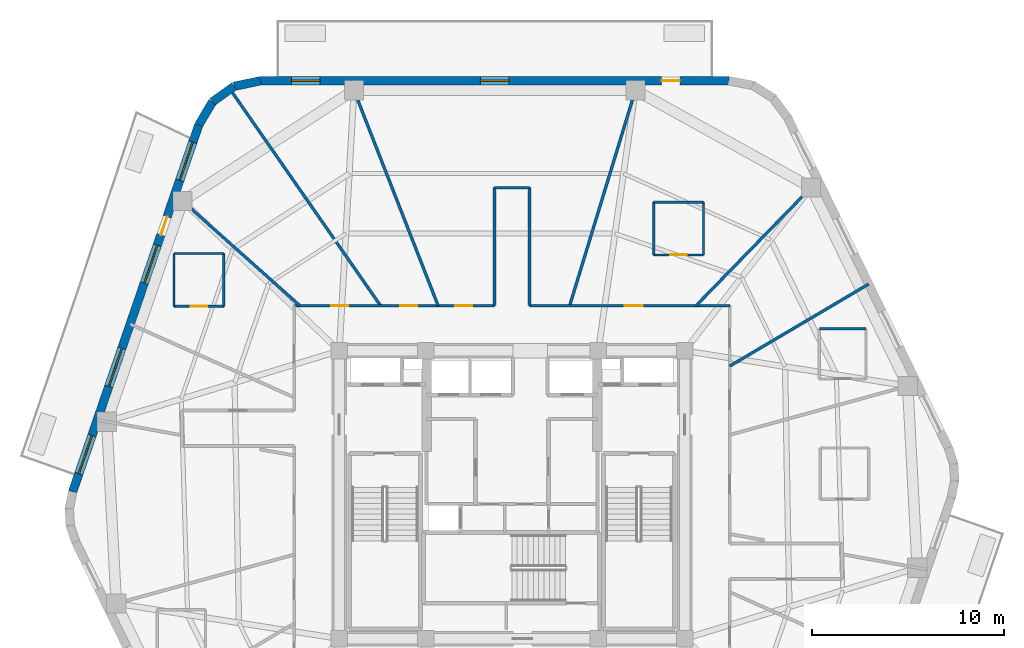
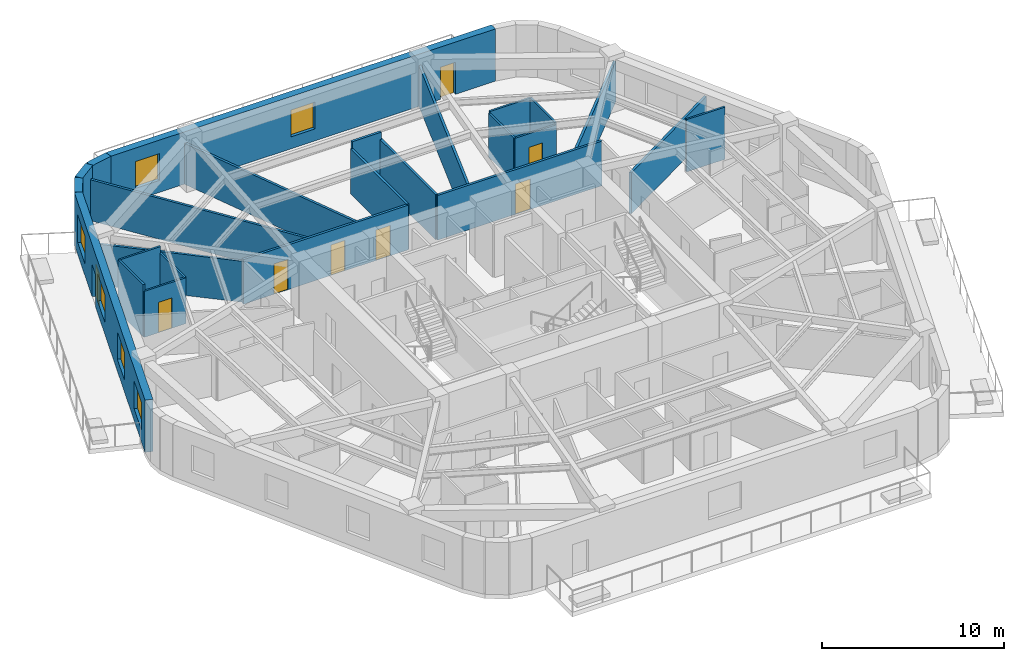
# One storey, part 6 of 9: 25 walls, 8 doors, 6 windows, 14 openings.
"""IFC4 building model written with IfcOpenShell, lengths in metres."""

from ifc_helpers import new_model, si_unit, direction, frame, frame_2d, origin, place, context, subcontext, project, spatial, rectangle, extrude, material, layer, layer_set, type_object, element, fill, save


model = new_model("IFC4")

# Units and contexts
model_context = context("Model", 3, precision=1e-05, world=origin(), true_north=direction((0.0, 1.0)))
body_context = subcontext(model_context, "Body", "Model", "MODEL_VIEW")
ifc_project = project(units=[si_unit("LENGTHUNIT", "METRE"), si_unit("AREAUNIT", "SQUARE_METRE"), si_unit("VOLUMEUNIT", "CUBIC_METRE"), si_unit("PLANEANGLEUNIT", "RADIAN"), si_unit("MASSUNIT", "GRAM", prefix="KILO")], contexts=[model_context])

# Site, building, storey
site_placement = place(None, origin())
site = spatial("IfcSite", under=ifc_project, at=site_placement, CompositionType="ELEMENT")
building_placement = place(site_placement, origin())
building = spatial("IfcBuilding", under=site, at=building_placement, Name="Kilnhurst Terrace Hotel", CompositionType="ELEMENT")
storey_placement = place(building_placement, frame((0.0, 0.0, 221.699951171875)))
storey = spatial("IfcBuildingStorey", under=building, at=storey_placement, Name="L55", CompositionType="ELEMENT", Elevation=221.699951171875)

# Walls
ifc_material_1 = material(Name="Precast concrete C40/50", Category="concrete")
ifc_layer_1 = layer(ifc_material_1, 0.449951171875, Name="Precast concrete C40/50")
ifc_layer_set_1 = layer_set([ifc_layer_1], Name="Precast concrete C40/50")
wall_type_1 = type_object("IfcWallType", Name="WL-BRK-450", PredefinedType="SOLIDWALL", material=ifc_layer_set_1)
wall_1_placement = place(storey_placement, frame((-13.1015625, 21.574951171875, 0.0), z_axis=(0.0, 0.0, 1.0), x_axis=(-0.978757421505, -0.205021730188, 0.0)))
element("IfcWall", 1, at=wall_1_placement, inside=storey, type_object=wall_type_1, Name="L55 Rounded Corner Brick Wall C5.1", PredefinedType="SOLIDWALL", context=body_context, shape_type="SweptSolid", body=[
    extrude(rectangle(XDim=1.40625, YDim=0.449951171875, at=frame_2d((0.703125, 0.0))), origin(), (0.0, 0.0, 1.0), 3.5),
])
wall_2_placement = place(storey_placement, frame((-14.47802734375, 21.28662109375, 0.0), z_axis=(0.0, 0.0, 1.0), x_axis=(-0.813888518617, -0.58102106611, 0.0)))
element("IfcWall", 2, at=wall_2_placement, inside=storey, type_object=wall_type_1, Name="L55 Rounded Corner Brick Wall C5.2", PredefinedType="SOLIDWALL", context=body_context, shape_type="SweptSolid", body=[
    extrude(rectangle(XDim=1.3828125, YDim=0.449951171875, at=frame_2d((0.69140625, 0.0))), origin(), (0.0, 0.0, 1.0), 3.5),
])
wall_3_placement = place(storey_placement, frame((-15.603515625, 20.483154296875, 0.0), z_axis=(0.0, 0.0, 1.0), x_axis=(-0.512222149036, -0.858852996756, 0.0)))
element("IfcWall", 3, at=wall_3_placement, inside=storey, type_object=wall_type_1, Name="L55 Rounded Corner Brick Wall C5.3", PredefinedType="SOLIDWALL", context=body_context, shape_type="SweptSolid", body=[
    extrude(rectangle(XDim=1.406494140625, YDim=0.449951171875, at=frame_2d((0.703125, 0.0))), origin(), (0.0, 0.0, 1.0), 3.5),
])

# Wall, openings, door, windows
wall_4_placement = place(storey_placement, frame((11.297607421875, 21.574951171875, 0.0), z_axis=(0.0, 0.0, 1.0), x_axis=(-1.0, 0.0, 0.0)))
wall_4 = element("IfcWall", 4, at=wall_4_placement, inside=storey, type_object=wall_type_1, Name="L55 Exterior Brick Facade Wall F4", PredefinedType="SOLIDWALL", context=body_context, shape_type="SweptSolid", body=[
    extrude(rectangle(XDim=24.399169921875, YDim=0.449951171875, at=frame_2d((12.19970703125, 0.0))), origin(), (0.0, 0.0, 1.0), 3.5),
])
opening_1_placement = place(wall_4_placement, frame((2.550048828125, 0.0, 0.0)))
opening_1 = element("IfcOpeningElement", 5, at=opening_1_placement, cuts=wall_4, Name="Opening BD-950", PredefinedType="OPENING", context=body_context, shape_type="SweptSolid", body=[
    extrude(rectangle(XDim=0.949951171875, YDim=2.14990234375, at=frame_2d((0.47509765625, 1.074951171875))), frame((0.0, 0.23486328125, 0.0), z_axis=(0.0, -1.0, 0.0), x_axis=(1.0, 0.0, 0.0)), (0.0, 0.0, 1.0), 0.469970703125),
])
opening_2_placement = place(wall_4_placement, frame((11.450927734375, 0.0, 0.800048828125)))
opening_2 = element("IfcOpeningElement", 6, at=opening_2_placement, cuts=wall_4, Name="Opening W-02", PredefinedType="OPENING", context=body_context, shape_type="SweptSolid", body=[
    extrude(rectangle(XDim=1.5, YDim=1.800048828125, at=frame_2d((0.75, 0.89990234375))), frame((0.0, 0.23486328125, 0.0), z_axis=(0.0, -1.0, 0.0), x_axis=(1.0, 0.0, 0.0)), (0.0, 0.0, 1.0), 0.469970703125),
])
opening_3_placement = place(wall_4_placement, frame((21.2958984375, 0.0, 0.800048828125)))
opening_3 = element("IfcOpeningElement", 7, at=opening_3_placement, cuts=wall_4, Name="Opening W-02", PredefinedType="OPENING", context=body_context, shape_type="SweptSolid", body=[
    extrude(rectangle(XDim=1.5, YDim=1.800048828125, at=frame_2d((0.75, 0.89990234375))), frame((0.0, 0.23486328125, 0.0), z_axis=(0.0, -1.0, 0.0), x_axis=(1.0, 0.0, 0.0)), (0.0, 0.0, 1.0), 0.469970703125),
])
ifc_material_2 = material(Name="Thermally Broken Bronze Aluminium Alloy 6063-T6 and Laminated Glass", Category="aluminium")
door_type_1 = type_object("IfcDoorType", Name="DR-EXT-BAL-950", OperationType="NOTDEFINED", PredefinedType="DOOR", material=ifc_material_2)
door_1_placement = place(opening_1_placement, origin())
door_1 = element("IfcDoor", 8, at=door_1_placement, inside=storey, type_object=door_type_1, Name="L55 Planted Balcony Door BAL-L2A", OperationType="SINGLE_SWING_RIGHT", OverallHeight=2.14990234375, OverallWidth=0.949951171875, PredefinedType="DOOR", context=body_context, shape_type="SweptSolid", body=[
    extrude(rectangle(XDim=0.949951171875, YDim=2.14990234375, at=frame_2d((0.47509765625, 1.074951171875))), frame((0.0, 0.02490234375, 0.0), z_axis=(0.0, -1.0, 0.0), x_axis=(1.0, 0.0, 0.0)), (0.0, 0.0, 1.0), 0.050048828125),
])
fill(opening_1, door_1)
ifc_material_3 = material(Name="Thermally Broken Bronze Aluminium Alloy 6063-T6 and Low-E Glass", Category="aluminium")
window_type_1 = type_object("IfcWindowType", Name="WIN-1500X1800", PartitioningType="SINGLE_PANEL", PredefinedType="WINDOW", material=ifc_material_3)
window_1_placement = place(opening_2_placement, origin())
window_1 = element("IfcWindow", 9, at=window_1_placement, inside=storey, type_object=window_type_1, Name="L55 Deep-Set Masonry Window F4.1", OverallHeight=1.800048828125, OverallWidth=1.5, PartitioningType="SINGLE_PANEL", PredefinedType="WINDOW", context=body_context, shape_type="SweptSolid", body=[
    extrude(rectangle(XDim=1.5, YDim=1.800048828125, at=frame_2d((0.75, 0.89990234375))), frame((0.0, 0.030029296875, 0.0), z_axis=(0.0, -1.0, 0.0), x_axis=(1.0, 0.0, 0.0)), (0.0, 0.0, 1.0), 0.06005859375),
])
fill(opening_2, window_1)
window_2_placement = place(opening_3_placement, origin())
window_2 = element("IfcWindow", 10, at=window_2_placement, inside=storey, type_object=window_type_1, Name="L55 Deep-Set Masonry Window F4.2", OverallHeight=1.800048828125, OverallWidth=1.5, PartitioningType="SINGLE_PANEL", PredefinedType="WINDOW", context=body_context, shape_type="SweptSolid", body=[
    extrude(rectangle(XDim=1.5, YDim=1.800048828125, at=frame_2d((0.75, 0.89990234375))), frame((0.0, 0.030029296875, 0.0), z_axis=(0.0, -1.0, 0.0), x_axis=(1.0, 0.0, 0.0)), (0.0, 0.0, 1.0), 0.06005859375),
])
fill(opening_3, window_2)

wall_5_placement = place(storey_placement, frame((-16.323974609375, 19.275146484375, 0.0), z_axis=(0.0, 0.0, 1.0), x_axis=(-0.325083142304, -0.945685439557, 0.0)))
wall_5 = element("IfcWall", 11, at=wall_5_placement, inside=storey, type_object=wall_type_1, Name="L55 Exterior Brick Facade Wall F5", PredefinedType="SOLIDWALL", context=body_context, shape_type="SweptSolid", body=[
    extrude(rectangle(XDim=20.223876953125, YDim=0.449951171875, at=frame_2d((10.11181640625, 0.0))), origin(), (0.0, 0.0, 1.0), 3.5),
])
opening_4_placement = place(wall_5_placement, frame((5.06201171875, 0.0, 0.0)))
opening_4 = element("IfcOpeningElement", 12, at=opening_4_placement, cuts=wall_5, Name="Opening BD-1000", PredefinedType="OPENING", context=body_context, shape_type="SweptSolid", body=[
    extrude(rectangle(XDim=1.0, YDim=2.14990234375, at=frame_2d((0.5, 1.074951171875))), frame((0.0, 0.23486328125, 0.0), z_axis=(0.0, -1.0, 0.0), x_axis=(1.0, 0.0, 0.0)), (0.0, 0.0, 1.0), 0.469970703125),
])
opening_5_placement = place(wall_5_placement, frame((0.952880859375, 0.0, 0.800048828125)))
opening_5 = element("IfcOpeningElement", 13, at=opening_5_placement, cuts=wall_5, Name="Opening W-04", PredefinedType="OPENING", context=body_context, shape_type="SweptSolid", body=[
    extrude(rectangle(XDim=2.10009765625, YDim=1.85009765625, at=frame_2d((1.050048828125, 0.925048828125))), frame((0.0, 0.23486328125, 0.0), z_axis=(0.0, -1.0, 0.0), x_axis=(1.0, 0.0, 0.0)), (0.0, 0.0, 1.0), 0.469970703125),
])
opening_6_placement = place(wall_5_placement, frame((6.62890625, 0.0, 0.800048828125)))
opening_6 = element("IfcOpeningElement", 14, at=opening_6_placement, cuts=wall_5, Name="Opening W-04", PredefinedType="OPENING", context=body_context, shape_type="SweptSolid", body=[
    extrude(rectangle(XDim=2.10009765625, YDim=1.85009765625, at=frame_2d((1.050048828125, 0.925048828125))), frame((0.0, 0.23486328125, 0.0), z_axis=(0.0, -1.0, 0.0), x_axis=(1.0, 0.0, 0.0)), (0.0, 0.0, 1.0), 0.469970703125),
])
opening_7_placement = place(wall_5_placement, frame((12.31201171875, 0.0, 0.800048828125)))
opening_7 = element("IfcOpeningElement", 15, at=opening_7_placement, cuts=wall_5, Name="Opening W-04", PredefinedType="OPENING", context=body_context, shape_type="SweptSolid", body=[
    extrude(rectangle(XDim=2.10009765625, YDim=1.85009765625, at=frame_2d((1.050048828125, 0.925048828125))), frame((0.0, 0.23486328125, 0.0), z_axis=(0.0, -1.0, 0.0), x_axis=(1.0, 0.0, 0.0)), (0.0, 0.0, 1.0), 0.469970703125),
])
opening_8_placement = place(wall_5_placement, frame((17.117919921875, 0.0, 0.800048828125)))
opening_8 = element("IfcOpeningElement", 16, at=opening_8_placement, cuts=wall_5, Name="Opening W-04", PredefinedType="OPENING", context=body_context, shape_type="SweptSolid", body=[
    extrude(rectangle(XDim=2.10009765625, YDim=1.85009765625, at=frame_2d((1.050048828125, 0.925048828125))), frame((0.0, 0.23486328125, 0.0), z_axis=(0.0, -1.0, 0.0), x_axis=(1.0, 0.0, 0.0)), (0.0, 0.0, 1.0), 0.469970703125),
])
door_type_2 = type_object("IfcDoorType", Name="DR-EXT-BAL-1000", OperationType="NOTDEFINED", PredefinedType="DOOR", material=ifc_material_2)
door_2_placement = place(opening_4_placement, origin())
door_2 = element("IfcDoor", 17, at=door_2_placement, inside=storey, type_object=door_type_2, Name="L55 Planted Balcony Door BAL-L2B", OperationType="SINGLE_SWING_LEFT", OverallHeight=2.14990234375, OverallWidth=1.0, PredefinedType="DOOR", context=body_context, shape_type="SweptSolid", body=[
    extrude(rectangle(XDim=1.0, YDim=2.14990234375, at=frame_2d((0.5, 1.074951171875))), frame((0.0, 0.02490234375, 0.0), z_axis=(0.0, -1.0, 0.0), x_axis=(1.0, 0.0, 0.0)), (0.0, 0.0, 1.0), 0.050048828125),
])
fill(opening_4, door_2)
window_type_2 = type_object("IfcWindowType", Name="WIN-2100X1850", PartitioningType="SINGLE_PANEL", PredefinedType="WINDOW", material=ifc_material_3)
window_3_placement = place(opening_5_placement, origin())
window_3 = element("IfcWindow", 18, at=window_3_placement, inside=storey, type_object=window_type_2, Name="L55 Deep-Set Masonry Window F5.1", OverallHeight=1.85009765625, OverallWidth=2.10009765625, PartitioningType="SINGLE_PANEL", PredefinedType="WINDOW", context=body_context, shape_type="SweptSolid", body=[
    extrude(rectangle(XDim=2.10009765625, YDim=1.85009765625, at=frame_2d((1.050048828125, 0.925048828125))), frame((0.0, 0.030029296875, 0.0), z_axis=(0.0, -1.0, 0.0), x_axis=(1.0, 0.0, 0.0)), (0.0, 0.0, 1.0), 0.06005859375),
])
fill(opening_5, window_3)
window_4_placement = place(opening_6_placement, origin())
window_4 = element("IfcWindow", 19, at=window_4_placement, inside=storey, type_object=window_type_2, Name="L55 Deep-Set Masonry Window F5.2", OverallHeight=1.85009765625, OverallWidth=2.10009765625, PartitioningType="SINGLE_PANEL", PredefinedType="WINDOW", context=body_context, shape_type="SweptSolid", body=[
    extrude(rectangle(XDim=2.10009765625, YDim=1.85009765625, at=frame_2d((1.050048828125, 0.925048828125))), frame((0.0, 0.030029296875, 0.0), z_axis=(0.0, -1.0, 0.0), x_axis=(1.0, 0.0, 0.0)), (0.0, 0.0, 1.0), 0.06005859375),
])
fill(opening_6, window_4)
window_5_placement = place(opening_7_placement, origin())
window_5 = element("IfcWindow", 20, at=window_5_placement, inside=storey, type_object=window_type_2, Name="L55 Deep-Set Masonry Window F5.3", OverallHeight=1.85009765625, OverallWidth=2.10009765625, PartitioningType="SINGLE_PANEL", PredefinedType="WINDOW", context=body_context, shape_type="SweptSolid", body=[
    extrude(rectangle(XDim=2.10009765625, YDim=1.85009765625, at=frame_2d((1.050048828125, 0.925048828125))), frame((0.0, 0.030029296875, 0.0), z_axis=(0.0, -1.0, 0.0), x_axis=(1.0, 0.0, 0.0)), (0.0, 0.0, 1.0), 0.06005859375),
])
fill(opening_7, window_5)
window_6_placement = place(opening_8_placement, origin())
window_6 = element("IfcWindow", 21, at=window_6_placement, inside=storey, type_object=window_type_2, Name="L55 Deep-Set Masonry Window F5.4", OverallHeight=1.85009765625, OverallWidth=2.10009765625, PartitioningType="SINGLE_PANEL", PredefinedType="WINDOW", context=body_context, shape_type="SweptSolid", body=[
    extrude(rectangle(XDim=2.10009765625, YDim=1.85009765625, at=frame_2d((1.050048828125, 0.925048828125))), frame((0.0, 0.030029296875, 0.0), z_axis=(0.0, -1.0, 0.0), x_axis=(1.0, 0.0, 0.0)), (0.0, 0.0, 1.0), 0.06005859375),
])
fill(opening_8, window_6)

# Wall, openings, doors
ifc_material_4 = material(Name="Acoustic Double-Gypsum Corridor Partition Assembly")
ifc_layer_2 = layer(ifc_material_4, 0.14990234375, Name="Acoustic Double-Gypsum Corridor Partition Assembly")
ifc_layer_set_2 = layer_set([ifc_layer_2], Name="Acoustic Double-Gypsum Corridor Partition Assembly")
wall_type_2 = type_object("IfcWallType", Name="WL-COR-150", PredefinedType="PARTITIONING", material=ifc_layer_set_2)
wall_6_placement = place(storey_placement, frame((-11.35009765625, 9.85009765625, 0.0), z_axis=(0.0, 0.0, 1.0), x_axis=(1.0, 0.0, 0.0)))
wall_6 = element("IfcWall", 22, at=wall_6_placement, inside=storey, type_object=wall_type_2, Name="L55 Interior Wall WL-L55-COR-06", PredefinedType="PARTITIONING", context=body_context, shape_type="SweptSolid", body=[
    extrude(rectangle(XDim=10.43017578125, YDim=0.14990234375, at=frame_2d((5.215087890625, 0.0))), origin(), (0.0, 0.0, 1.0), 2.989990234375),
])
opening_9_placement = place(wall_6_placement, frame((8.386962890625, 0.0, 0.0)))
opening_9 = element("IfcOpeningElement", 23, at=opening_9_placement, cuts=wall_6, Name="Opening D-60C", PredefinedType="OPENING", context=body_context, shape_type="SweptSolid", body=[
    extrude(rectangle(XDim=0.89990234375, YDim=2.030029296875, at=frame_2d((0.449951171875, 1.01513671875))), frame((0.0, 0.0849609375, 0.0), z_axis=(0.0, -1.0, 0.0), x_axis=(1.0, 0.0, 0.0)), (0.0, 0.0, 1.0), 0.169921875),
])
opening_10_placement = place(wall_6_placement, frame((5.52490234375, 0.0, 0.0)))
opening_10 = element("IfcOpeningElement", 24, at=opening_10_placement, cuts=wall_6, Name="Opening D-60C", PredefinedType="OPENING", context=body_context, shape_type="SweptSolid", body=[
    extrude(rectangle(XDim=0.89990234375, YDim=2.030029296875, at=frame_2d((0.449951171875, 1.01513671875))), frame((0.0, 0.0849609375, 0.0), z_axis=(0.0, -1.0, 0.0), x_axis=(1.0, 0.0, 0.0)), (0.0, 0.0, 1.0), 0.169921875),
])
opening_11_placement = place(wall_6_placement, frame((1.9208984375, 0.0, 0.0)))
opening_11 = element("IfcOpeningElement", 25, at=opening_11_placement, cuts=wall_6, Name="Opening D-60C", PredefinedType="OPENING", context=body_context, shape_type="SweptSolid", body=[
    extrude(rectangle(XDim=0.89990234375, YDim=2.030029296875, at=frame_2d((0.449951171875, 1.01513671875))), frame((0.0, 0.0849609375, 0.0), z_axis=(0.0, -1.0, 0.0), x_axis=(1.0, 0.0, 0.0)), (0.0, 0.0, 1.0), 0.169921875),
])
ifc_material_5 = material(Name="Painted Solid-Core Service Fire Door")
door_type_3 = type_object("IfcDoorType", Name="DR-FD60-900", OperationType="NOTDEFINED", PredefinedType="DOOR", material=ifc_material_5)
door_3_placement = place(opening_9_placement, origin())
door_3 = element("IfcDoor", 26, at=door_3_placement, inside=storey, type_object=door_type_3, Name="L55 Executive Work Office Door 4", OperationType="SINGLE_SWING_RIGHT", OverallHeight=2.030029296875, OverallWidth=0.89990234375, PredefinedType="DOOR", context=body_context, shape_type="SweptSolid", body=[
    extrude(rectangle(XDim=0.89990234375, YDim=2.030029296875, at=frame_2d((0.449951171875, 1.01513671875))), frame((0.0, 0.02490234375, 0.0), z_axis=(0.0, -1.0, 0.0), x_axis=(1.0, 0.0, 0.0)), (0.0, 0.0, 1.0), 0.050048828125),
])
fill(opening_9, door_3)
door_4_placement = place(opening_10_placement, origin())
door_4 = element("IfcDoor", 27, at=door_4_placement, inside=storey, type_object=door_type_3, Name="L55 Botanical Reading Lounge Door 5", OperationType="SINGLE_SWING_LEFT", OverallHeight=2.030029296875, OverallWidth=0.89990234375, PredefinedType="DOOR", context=body_context, shape_type="SweptSolid", body=[
    extrude(rectangle(XDim=0.89990234375, YDim=2.030029296875, at=frame_2d((0.449951171875, 1.01513671875))), frame((0.0, 0.02490234375, 0.0), z_axis=(0.0, -1.0, 0.0), x_axis=(1.0, 0.0, 0.0)), (0.0, 0.0, 1.0), 0.050048828125),
])
fill(opening_10, door_4)
door_5_placement = place(opening_11_placement, origin())
door_5 = element("IfcDoor", 28, at=door_5_placement, inside=storey, type_object=door_type_3, Name="L55 Private Meeting Salon Door 6", OperationType="SINGLE_SWING_RIGHT", OverallHeight=2.030029296875, OverallWidth=0.89990234375, PredefinedType="DOOR", context=body_context, shape_type="SweptSolid", body=[
    extrude(rectangle(XDim=0.89990234375, YDim=2.030029296875, at=frame_2d((0.449951171875, 1.01513671875))), frame((0.0, 0.02490234375, 0.0), z_axis=(0.0, -1.0, 0.0), x_axis=(1.0, 0.0, 0.0)), (0.0, 0.0, 1.0), 0.050048828125),
])
fill(opening_11, door_5)

# Walls
wall_7_placement = place(storey_placement, frame((-0.919921875, 9.85009765625, 0.0), z_axis=(0.0, 0.0, 1.0), x_axis=(0.0, 1.0, 0.0)))
element("IfcWall", 29, at=wall_7_placement, inside=storey, type_object=wall_type_2, Name="L55 Interior Wall WL-L55-COR-07", PredefinedType="PARTITIONING", context=body_context, shape_type="SweptSolid", body=[
    extrude(rectangle(XDim=6.14990234375, YDim=0.14990234375, at=frame_2d((3.074951171875, 0.0))), origin(), (0.0, 0.0, 1.0), 3.026611328125),
])
wall_8_placement = place(storey_placement, frame((-0.919921875, 16.0, 0.0), z_axis=(0.0, 0.0, 1.0), x_axis=(1.0, 0.0, 0.0)))
element("IfcWall", 30, at=wall_8_placement, inside=storey, type_object=wall_type_2, Name="L55 Interior Wall WL-L55-COR-08", PredefinedType="PARTITIONING", context=body_context, shape_type="SweptSolid", body=[
    extrude(rectangle(XDim=1.83984375, YDim=0.14990234375, at=frame_2d((0.919921875, 0.0))), origin(), (0.0, 0.0, 1.0), 3.5),
])
wall_9_placement = place(storey_placement, frame((0.919921875, 16.0, 0.0), z_axis=(0.0, 0.0, 1.0), x_axis=(0.0, -1.0, 0.0)))
element("IfcWall", 31, at=wall_9_placement, inside=storey, type_object=wall_type_2, Name="L55 Interior Wall WL-L55-COR-09", PredefinedType="PARTITIONING", context=body_context, shape_type="SweptSolid", body=[
    extrude(rectangle(XDim=6.14990234375, YDim=0.14990234375, at=frame_2d((3.074951171875, 0.0))), origin(), (0.0, 0.0, 1.0), 3.026611328125),
])

# Wall, opening, door
wall_10_placement = place(storey_placement, frame((0.919921875, 9.85009765625, 0.0), z_axis=(0.0, 0.0, 1.0), x_axis=(1.0, 0.0, 0.0)))
wall_10 = element("IfcWall", 32, at=wall_10_placement, inside=storey, type_object=wall_type_2, Name="L55 Interior Wall WL-L55-COR-10", PredefinedType="PARTITIONING", context=body_context, shape_type="SweptSolid", body=[
    extrude(rectangle(XDim=10.43017578125, YDim=0.14990234375, at=frame_2d((5.215087890625, 0.0))), origin(), (0.0, 0.0, 1.0), 2.989990234375),
])
opening_12_placement = place(wall_10_placement, frame((4.948974609375, 0.0, 0.0)))
opening_12 = element("IfcOpeningElement", 33, at=opening_12_placement, cuts=wall_10, Name="Opening D-60B", PredefinedType="OPENING", context=body_context, shape_type="SweptSolid", body=[
    extrude(rectangle(XDim=0.949951171875, YDim=2.030029296875, at=frame_2d((0.47509765625, 1.01513671875))), frame((0.0, 0.0849609375, 0.0), z_axis=(0.0, -1.0, 0.0), x_axis=(1.0, 0.0, 0.0)), (0.0, 0.0, 1.0), 0.169921875),
])
ifc_material_6 = material(Name="Acoustic Walnut Veneer Solid-Core Fire Door")
door_type_4 = type_object("IfcDoorType", Name="DR-FD60-950", OperationType="NOTDEFINED", PredefinedType="DOOR", material=ifc_material_6)
door_6_placement = place(opening_12_placement, origin())
door_6 = element("IfcDoor", 34, at=door_6_placement, inside=storey, type_object=door_type_4, Name="L55 Executive Suite Entry Door 3", OperationType="SINGLE_SWING_LEFT", OverallHeight=2.030029296875, OverallWidth=0.949951171875, PredefinedType="DOOR", context=body_context, shape_type="SweptSolid", body=[
    extrude(rectangle(XDim=0.949951171875, YDim=2.030029296875, at=frame_2d((0.47509765625, 1.01513671875))), frame((0.0, 0.02490234375, 0.0), z_axis=(0.0, -1.0, 0.0), x_axis=(1.0, 0.0, 0.0)), (0.0, 0.0, 1.0), 0.050048828125),
])
fill(opening_12, door_6)

# Walls
ifc_material_7 = material(Name="STC-58 Acoustic Twin-Frame Guestroom Demising Partition")
ifc_layer_3 = layer(ifc_material_7, 0.14990234375, Name="STC-58 Acoustic Twin-Frame Guestroom Demising Partition")
ifc_layer_set_3 = layer_set([ifc_layer_3], Name="STC-58 Acoustic Twin-Frame Guestroom Demising Partition")
wall_type_3 = type_object("IfcWallType", Name="WL-DEM-150", PredefinedType="PARTITIONING", material=ifc_layer_set_3)
wall_11_placement = place(storey_placement, frame((11.35009765625, 6.705078125, 0.0), z_axis=(0.0, 0.0, 1.0), x_axis=(0.86097625004, 0.508645158108, 0.0)))
element("IfcWall", 35, at=wall_11_placement, inside=storey, type_object=wall_type_3, Name="L55 Interior Wall WL-L55-DEM-MID01-02-1", PredefinedType="PARTITIONING", context=body_context, shape_type="SweptSolid", body=[
    extrude(rectangle(XDim=8.406005859375, YDim=0.14990234375, at=frame_2d((4.203125, 0.0))), origin(), (0.0, 0.0, 1.0), 2.739990234375),
])
wall_12_placement = place(storey_placement, frame((9.587890625, 9.85009765625, 0.0), z_axis=(0.0, 0.0, 1.0), x_axis=(0.697519469595, 0.716565830567, 0.0)))
element("IfcWall", 36, at=wall_12_placement, inside=storey, type_object=wall_type_3, Name="L55 Interior Wall WL-L55-DEM-COL02-03-1", PredefinedType="PARTITIONING", context=body_context, shape_type="SweptSolid", body=[
    extrude(rectangle(XDim=9.12646484375, YDim=0.14990234375, at=frame_2d((4.563232421875, 0.0))), origin(), (0.0, 0.0, 1.0), 2.739990234375),
])
wall_13_placement = place(storey_placement, frame((3.00439453125, 9.85009765625, 0.0), z_axis=(0.0, 0.0, 1.0), x_axis=(0.291775760688, 0.956486751333, 0.0)))
element("IfcWall", 37, at=wall_13_placement, inside=storey, type_object=wall_type_3, Name="L55 Interior Wall WL-L55-DEM-COL03-04-1", PredefinedType="PARTITIONING", context=body_context, shape_type="SweptSolid", body=[
    extrude(rectangle(XDim=12.25830078125, YDim=0.14990234375, at=frame_2d((6.129150390625, 0.0))), origin(), (0.0, 0.0, 1.0), 2.739990234375),
])
wall_14_placement = place(storey_placement, frame((-3.848388671875, 9.85009765625, 0.0), z_axis=(0.0, 0.0, 1.0), x_axis=(-0.363921778212, 0.931429513889, 0.0)))
element("IfcWall", 38, at=wall_14_placement, inside=storey, type_object=wall_type_3, Name="L55 Interior Wall WL-L55-DEM-COL04-05-1", PredefinedType="PARTITIONING", context=body_context, shape_type="SweptSolid", body=[
    extrude(rectangle(XDim=12.588134765625, YDim=0.14990234375, at=frame_2d((6.2939453125, 0.0))), origin(), (0.0, 0.0, 1.0), 2.739990234375),
])
wall_15_placement = place(storey_placement, frame((-6.848876953125, 9.85009765625, 0.0), z_axis=(0.0, 0.0, 1.0), x_axis=(-0.570871709026, 0.821039275451, 0.0)))
element("IfcWall", 39, at=wall_15_placement, inside=storey, type_object=wall_type_3, Name="L55 Interior Wall WL-L55-DEM-MID04-06-1", PredefinedType="PARTITIONING", context=body_context, shape_type="SweptSolid", body=[
    extrude(rectangle(XDim=13.581787109375, YDim=0.14990234375, at=frame_2d((6.791015625, 0.0))), origin(), (0.0, 0.0, 1.0), 2.739990234375),
])
wall_16_placement = place(storey_placement, frame((-11.04833984375, 9.85009765625, 0.0), z_axis=(0.0, 0.0, 1.0), x_axis=(-0.746444434655, 0.665447748492, 0.0)))
element("IfcWall", 40, at=wall_16_placement, inside=storey, type_object=wall_type_3, Name="L55 Interior Wall WL-L55-DEM-COL05-07-1", PredefinedType="PARTITIONING", context=body_context, shape_type="SweptSolid", body=[
    extrude(rectangle(XDim=8.732177734375, YDim=0.14990234375, at=frame_2d((4.3662109375, 0.0))), origin(), (0.0, 0.0, 1.0), 2.739990234375),
])
ifc_material_8 = material(Name="120 mm Moisture-Resistant Tile-Backed Bathroom Partition")
ifc_layer_4 = layer(ifc_material_8, 0.1201171875, Name="120 mm Moisture-Resistant Tile-Backed Bathroom Partition")
ifc_layer_set_4 = layer_set([ifc_layer_4], Name="120 mm Moisture-Resistant Tile-Backed Bathroom Partition")
wall_type_4 = type_object("IfcWallType", Name="WL-PART-120", PredefinedType="PARTITIONING", material=ifc_layer_set_4)
wall_17_placement = place(storey_placement, frame((18.451904296875, 8.64404296875, 0.0), z_axis=(0.0, 0.0, 1.0), x_axis=(-1.0, 0.0, 0.0)))
element("IfcWall", 41, at=wall_17_placement, inside=storey, type_object=wall_type_4, Name="L55 Interior Wall WL-L55-BTH-01-3", PredefinedType="PARTITIONING", context=body_context, shape_type="SweptSolid", body=[
    extrude(rectangle(XDim=2.43994140625, YDim=0.1201171875, at=frame_2d((1.219970703125, 0.0))), origin(), (0.0, 0.0, 1.0), 3.5),
])

# Wall, opening, door
wall_18_placement = place(storey_placement, frame((7.383056640625, 12.4970703125, 0.0), z_axis=(0.0, 0.0, 1.0), x_axis=(1.0, 0.0, 0.0)))
wall_18 = element("IfcWall", 42, at=wall_18_placement, inside=storey, type_object=wall_type_4, Name="L55 Interior Wall WL-L55-BTH-03-1", PredefinedType="PARTITIONING", context=body_context, shape_type="SweptSolid", body=[
    extrude(rectangle(XDim=2.599853515625, YDim=0.1201171875, at=frame_2d((1.2998046875, 0.0))), origin(), (0.0, 0.0, 1.0), 2.9404296875),
])
opening_13_placement = place(wall_18_placement, frame((0.875, 0.0, 0.0)))
opening_13 = element("IfcOpeningElement", 43, at=opening_13_placement, cuts=wall_18, Name="Opening D-08A", PredefinedType="OPENING", context=body_context, shape_type="SweptSolid", body=[
    extrude(rectangle(XDim=0.85009765625, YDim=2.030029296875, at=frame_2d((0.425048828125, 1.01513671875))), frame((0.0, 0.070068359375, 0.0), z_axis=(0.0, -1.0, 0.0), x_axis=(1.0, 0.0, 0.0)), (0.0, 0.0, 1.0), 0.14013671875),
])
ifc_material_9 = material(Name="Moisture-Resistant Lacquered En-suite Bathroom Door")
door_type_5 = type_object("IfcDoorType", Name="DR-INT-850", OperationType="NOTDEFINED", PredefinedType="DOOR", material=ifc_material_9)
door_7_placement = place(opening_13_placement, origin())
door_7 = element("IfcDoor", 44, at=door_7_placement, inside=storey, type_object=door_type_5, Name="L55 En-suite Bathroom Door 3", OperationType="SINGLE_SWING_RIGHT", OverallHeight=2.030029296875, OverallWidth=0.85009765625, PredefinedType="DOOR", context=body_context, shape_type="SweptSolid", body=[
    extrude(rectangle(XDim=0.85009765625, YDim=2.030029296875, at=frame_2d((0.425048828125, 1.01513671875))), frame((0.0, 0.02490234375, 0.0), z_axis=(0.0, -1.0, 0.0), x_axis=(1.0, 0.0, 0.0)), (0.0, 0.0, 1.0), 0.050048828125),
])
fill(opening_13, door_7)

# Walls
wall_19_placement = place(storey_placement, frame((9.98291015625, 12.4970703125, 0.0), z_axis=(0.0, 0.0, 1.0), x_axis=(0.0, 1.0, 0.0)))
element("IfcWall", 45, at=wall_19_placement, inside=storey, type_object=wall_type_4, Name="L55 Interior Wall WL-L55-BTH-03-2", PredefinedType="PARTITIONING", context=body_context, shape_type="SweptSolid", body=[
    extrude(rectangle(XDim=2.75, YDim=0.1201171875, at=frame_2d((1.375, 0.0))), origin(), (0.0, 0.0, 1.0), 3.072509765625),
])
wall_20_placement = place(storey_placement, frame((9.98291015625, 15.2470703125, 0.0), z_axis=(0.0, 0.0, 1.0), x_axis=(-1.0, 0.0, 0.0)))
element("IfcWall", 46, at=wall_20_placement, inside=storey, type_object=wall_type_4, Name="L55 Interior Wall WL-L55-BTH-03-3", PredefinedType="PARTITIONING", context=body_context, shape_type="SweptSolid", body=[
    extrude(rectangle(XDim=2.599853515625, YDim=0.1201171875, at=frame_2d((1.2998046875, 0.0))), origin(), (0.0, 0.0, 1.0), 3.072509765625),
])
wall_21_placement = place(storey_placement, frame((7.383056640625, 15.2470703125, 0.0), z_axis=(0.0, 0.0, 1.0), x_axis=(0.0, -1.0, 0.0)))
element("IfcWall", 47, at=wall_21_placement, inside=storey, type_object=wall_type_4, Name="L55 Interior Wall WL-L55-BTH-03-4", PredefinedType="PARTITIONING", context=body_context, shape_type="SweptSolid", body=[
    extrude(rectangle(XDim=2.75, YDim=0.1201171875, at=frame_2d((1.375, 0.0))), origin(), (0.0, 0.0, 1.0), 2.9404296875),
])

# Wall, opening, door
wall_22_placement = place(storey_placement, frame((-17.616943359375, 9.822998046875, 0.0), z_axis=(0.0, 0.0, 1.0), x_axis=(1.0, 0.0, 0.0)))
wall_22 = element("IfcWall", 48, at=wall_22_placement, inside=storey, type_object=wall_type_4, Name="L55 Interior Wall WL-L55-BTH-07-1", PredefinedType="PARTITIONING", context=body_context, shape_type="SweptSolid", body=[
    extrude(rectangle(XDim=2.599853515625, YDim=0.1201171875, at=frame_2d((1.2998046875, 0.0))), origin(), (0.0, 0.0, 1.0), 3.072509765625),
])
opening_14_placement = place(wall_22_placement, frame((0.875, 0.0, 0.0)))
opening_14 = element("IfcOpeningElement", 49, at=opening_14_placement, cuts=wall_22, Name="Opening D-08A", PredefinedType="OPENING", context=body_context, shape_type="SweptSolid", body=[
    extrude(rectangle(XDim=0.85009765625, YDim=2.030029296875, at=frame_2d((0.425048828125, 1.01513671875))), frame((0.0, 0.070068359375, 0.0), z_axis=(0.0, -1.0, 0.0), x_axis=(1.0, 0.0, 0.0)), (0.0, 0.0, 1.0), 0.14013671875),
])
door_8_placement = place(opening_14_placement, origin())
door_8 = element("IfcDoor", 50, at=door_8_placement, inside=storey, type_object=door_type_5, Name="L55 En-suite Bathroom Door 7", OperationType="SINGLE_SWING_RIGHT", OverallHeight=2.030029296875, OverallWidth=0.85009765625, PredefinedType="DOOR", context=body_context, shape_type="SweptSolid", body=[
    extrude(rectangle(XDim=0.85009765625, YDim=2.030029296875, at=frame_2d((0.425048828125, 1.01513671875))), frame((0.0, 0.02490234375, 0.0), z_axis=(0.0, -1.0, 0.0), x_axis=(1.0, 0.0, 0.0)), (0.0, 0.0, 1.0), 0.050048828125),
])
fill(opening_14, door_8)

# Walls
wall_23_placement = place(storey_placement, frame((-15.01708984375, 9.822998046875, 0.0), z_axis=(0.0, 0.0, 1.0), x_axis=(0.0, 1.0, 0.0)))
element("IfcWall", 51, at=wall_23_placement, inside=storey, type_object=wall_type_4, Name="L55 Interior Wall WL-L55-BTH-07-2", PredefinedType="PARTITIONING", context=body_context, shape_type="SweptSolid", body=[
    extrude(rectangle(XDim=2.75, YDim=0.1201171875, at=frame_2d((1.375, 0.0))), origin(), (0.0, 0.0, 1.0), 3.072509765625),
])
wall_24_placement = place(storey_placement, frame((-15.01708984375, 12.572998046875, 0.0), z_axis=(0.0, 0.0, 1.0), x_axis=(-1.0, 0.0, 0.0)))
element("IfcWall", 52, at=wall_24_placement, inside=storey, type_object=wall_type_4, Name="L55 Interior Wall WL-L55-BTH-07-3", PredefinedType="PARTITIONING", context=body_context, shape_type="SweptSolid", body=[
    extrude(rectangle(XDim=2.599853515625, YDim=0.1201171875, at=frame_2d((1.2998046875, 0.0))), origin(), (0.0, 0.0, 1.0), 3.5),
])
wall_25_placement = place(storey_placement, frame((-17.616943359375, 12.572998046875, 0.0), z_axis=(0.0, 0.0, 1.0), x_axis=(0.0, -1.0, 0.0)))
element("IfcWall", 53, at=wall_25_placement, inside=storey, type_object=wall_type_4, Name="L55 Interior Wall WL-L55-BTH-07-4", PredefinedType="PARTITIONING", context=body_context, shape_type="SweptSolid", body=[
    extrude(rectangle(XDim=2.75, YDim=0.1201171875, at=frame_2d((1.375, 0.0))), origin(), (0.0, 0.0, 1.0), 3.5),
])

save(model, "model.ifc")
